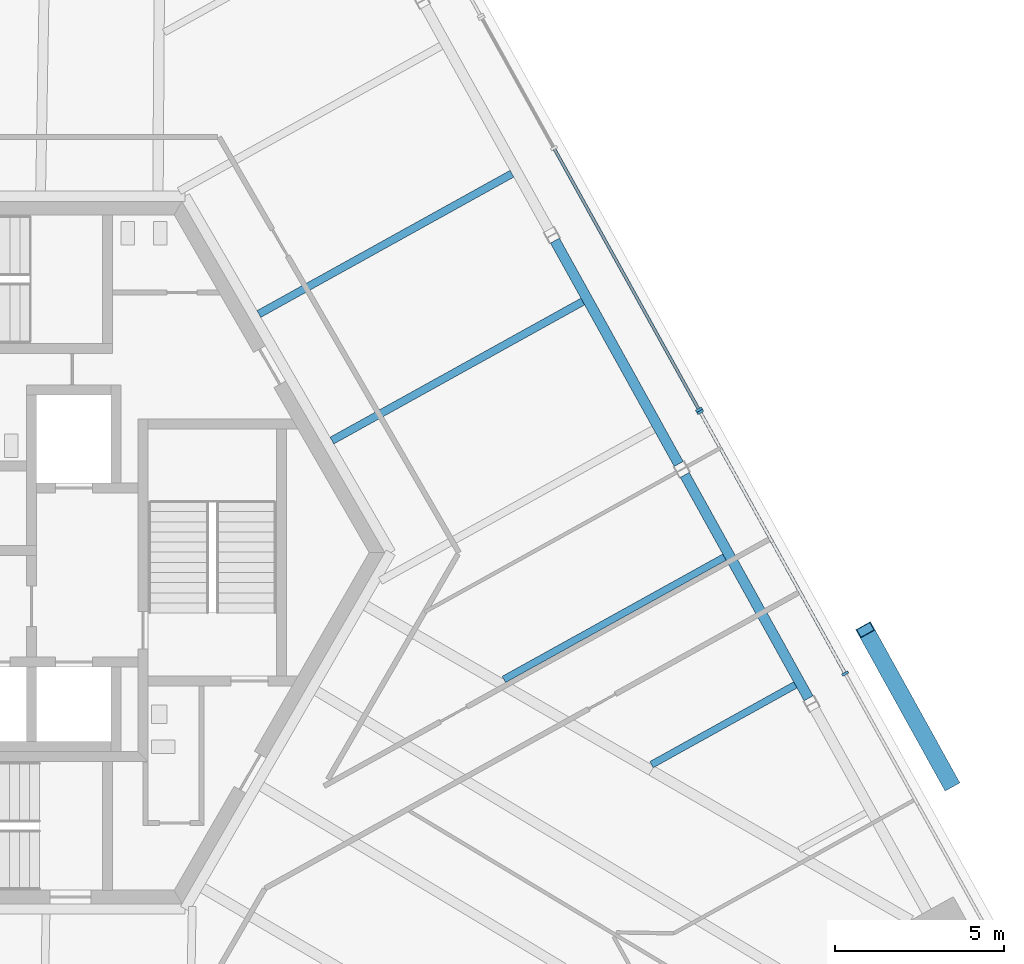
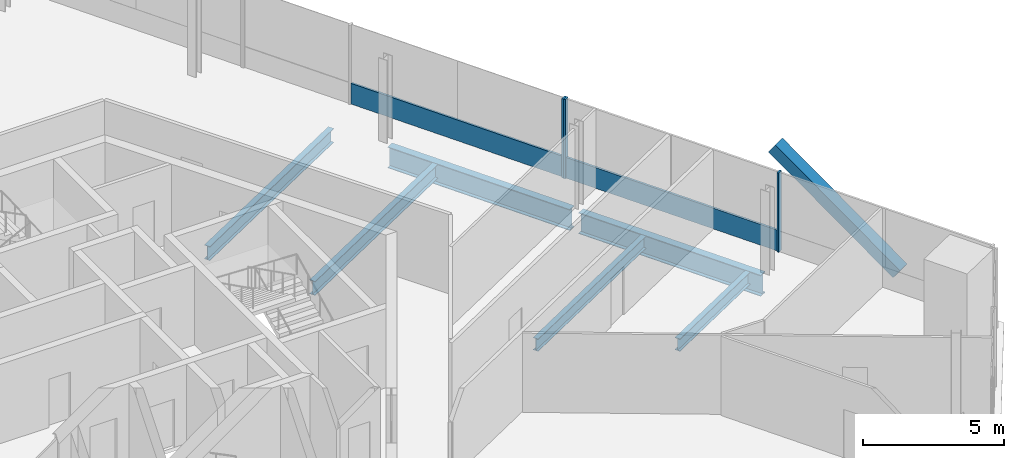
# One storey, part 7 of 19: 6 beams, 6 members, 2 elements without a shape of their own.
"""IFC4 building model written with IfcOpenShell, lengths in metres."""

from ifc_helpers import new_model, si_unit, direction, frame, origin, origin_2d, place, context, subcontext, project, spatial, rectangle, hollow_rectangle, i_section, extrude, source, transform, mapped, material, material_profile, profile_set, type_object, element, aggregate, save


model = new_model("IFC4")

# Units and contexts
model_context = context("Model", 3, precision=1e-05, world=origin(), true_north=direction((0.0, 1.0)))
body_context = subcontext(model_context, "Body", "Model", "MODEL_VIEW")
ifc_project = project(units=[si_unit("LENGTHUNIT", "METRE"), si_unit("AREAUNIT", "SQUARE_METRE"), si_unit("VOLUMEUNIT", "CUBIC_METRE"), si_unit("PLANEANGLEUNIT", "RADIAN"), si_unit("MASSUNIT", "GRAM", prefix="KILO")], contexts=[model_context])

# Site, building, storey
site_placement = place(None, origin())
site = spatial("IfcSite", under=ifc_project, at=site_placement, CompositionType="ELEMENT")
building_placement = place(site_placement, origin())
building = spatial("IfcBuilding", under=site, at=building_placement, Name="Triune Harvest Tower", CompositionType="ELEMENT")
storey_placement = place(building_placement, frame((0.0, 0.0, 183.5)))
storey = spatial("IfcBuildingStorey", under=building, at=storey_placement, Name="L47", CompositionType="ELEMENT", Elevation=183.5)

# Beams
ifc_material_1 = material(Name="Steel ASTM A992 Gr 50", Category="steel")
ifc_material_profile_1 = material_profile(ifc_material_1, i_section(OverallWidth=0.3046875, OverallDepth=0.914306640625, WebThickness=0.0166015625, FlangeThickness=0.02587890625, at=origin_2d()), Name="W36x160")
ifc_profile_set_1 = profile_set([ifc_material_profile_1], Name="Steel ASTM A992 Gr 50")
beam_type_1 = type_object("IfcBeamType", Name="SB-1 Spandrel beam W36x160", PredefinedType="SPANDREL", material=ifc_profile_set_1)
shared_shape_1 = source(origin(), body_context, "Body", "SweptSolid", [
    extrude(i_section(OverallWidth=0.3046875, OverallDepth=0.914306640625, WebThickness=0.0166015625, FlangeThickness=0.02587890625, at=origin_2d()), origin(), (0.0, 0.0, 1.0), 7.556396484375),
])
for number, where, z_axis, x_axis, name in (
    (1, (24.542236328125, -4.311279296875, -0.6171875), (-0.484806011206, 0.874621707654, 0.0), (-0.874621707654, -0.484806011206, 0.0), "beam/L47/SB2"),
    (2, (20.698974609375, 2.6220703125, -0.6171875), (-0.484806011206, 0.874621707654, 0.0), (-0.874621707654, -0.484806011206, 0.0), "beam/L47/SB3"),
):
    element("IfcBeam", number, at=place(storey_placement, frame(where, z_axis=z_axis, x_axis=x_axis)), inside=storey, type_object=beam_type_1, Name=name, PredefinedType="SPANDREL", context=body_context, shape_type="MappedRepresentation", body=[
        mapped(shared_shape_1, transform((0.0, 0.0, 0.0), scale=1.0)),
    ])
ifc_material_2 = material(Name="Steel ASTM A992 Gr 50", Category="steel")
ifc_material_profile_2 = material_profile(ifc_material_2, i_section(OverallWidth=0.2099609375, OverallDepth=0.535888671875, WebThickness=0.010986328125, FlangeThickness=0.017333984375, at=origin_2d()), Name="W21x68")
ifc_profile_set_2 = profile_set([ifc_material_profile_2], Name="Steel ASTM A992 Gr 50")
beam_type_2 = type_object("IfcBeamType", Name="JT-2 Floor joist W21x68", PredefinedType="JOIST", material=ifc_profile_set_2)
shared_shape_2 = source(origin(), body_context, "Body", "SweptSolid", [
    extrude(i_section(OverallWidth=0.2099609375, OverallDepth=0.535888671875, WebThickness=0.010986328125, FlangeThickness=0.017333984375, at=origin_2d()), origin(), (0.0, 0.0, 1.0), 4.8642578125),
])
beam_1_placement = place(storey_placement, frame((24.1494140625, -3.9169921875, -0.427978515625), z_axis=(-0.874606715021, -0.484833057908, 0.0), x_axis=(0.484833057908, -0.874606715021, 0.0)))
element("IfcBeam", 3, at=beam_1_placement, inside=storey, type_object=beam_type_2, Name="beam/L47/JT2", PredefinedType="JOIST", context=body_context, shape_type="MappedRepresentation", body=[
    mapped(shared_shape_2, transform((0.0, 0.0, 0.0), scale=1.0)),
])
shared_shape_3 = source(origin(), body_context, "Body", "SweptSolid", [
    extrude(i_section(OverallWidth=0.2099609375, OverallDepth=0.535888671875, WebThickness=0.010986328125, FlangeThickness=0.017333984375, at=origin_2d()), origin(), (0.0, 0.0, 1.0), 7.46240234375),
])
beam_2_placement = place(storey_placement, frame((22.052978515625, -0.13525390625, -0.427978515625), z_axis=(-0.87461829469, -0.484812168363, 0.0), x_axis=(0.484812168363, -0.87461829469, 0.0)))
element("IfcBeam", 4, at=beam_2_placement, inside=storey, type_object=beam_type_2, Name="beam/L47/JT3", PredefinedType="JOIST", context=body_context, shape_type="MappedRepresentation", body=[
    mapped(shared_shape_3, transform((0.0, 0.0, 0.0), scale=1.0)),
])
ifc_material_3 = material(Name="Steel ASTM A992 Gr 50", Category="steel")
ifc_material_profile_3 = material_profile(ifc_material_3, i_section(OverallWidth=0.22900390625, OverallDepth=0.612060546875, WebThickness=0.011962890625, FlangeThickness=0.01953125, at=origin_2d()), Name="W24x84")
ifc_profile_set_3 = profile_set([ifc_material_profile_3], Name="Steel ASTM A992 Gr 50")
beam_type_3 = type_object("IfcBeamType", Name="JT-3 Floor joist W24x84", PredefinedType="JOIST", material=ifc_profile_set_3)
shared_shape_4 = source(origin(), body_context, "Body", "SweptSolid", [
    extrude(i_section(OverallWidth=0.22900390625, OverallDepth=0.612060546875, WebThickness=0.011962890625, FlangeThickness=0.01953125, at=origin_2d()), origin(), (0.0, 0.0, 1.0), 8.486083984375),
])
beam_3_placement = place(storey_placement, frame((17.860595703125, 7.42822265625, -0.466064453125), z_axis=(-0.874626410095, -0.484797527598, 0.0), x_axis=(0.484797527598, -0.874626410095, 0.0)))
element("IfcBeam", 5, at=beam_3_placement, inside=storey, type_object=beam_type_3, Name="beam/L47/JT5", PredefinedType="JOIST", context=body_context, shape_type="MappedRepresentation", body=[
    mapped(shared_shape_4, transform((0.0, 0.0, 0.0), scale=1.0)),
])
shared_shape_5 = source(origin(), body_context, "Body", "SweptSolid", [
    extrude(i_section(OverallWidth=0.22900390625, OverallDepth=0.612060546875, WebThickness=0.011962890625, FlangeThickness=0.01953125, at=origin_2d()), origin(), (0.0, 0.0, 1.0), 8.561767578125),
])
beam_4_placement = place(storey_placement, frame((15.764404296875, 11.210205078125, -0.466064453125), z_axis=(-0.87461689263, -0.484814697721, 0.0), x_axis=(0.484814697721, -0.87461689263, 0.0)))
element("IfcBeam", 6, at=beam_4_placement, inside=storey, type_object=beam_type_3, Name="beam/L47/JT6", PredefinedType="JOIST", context=body_context, shape_type="MappedRepresentation", body=[
    mapped(shared_shape_5, transform((0.0, 0.0, 0.0), scale=1.0)),
])

# Member
ifc_material_4 = material(Name="Steel ASTM A572 Gr 50", Category="steel")
ifc_material_profile_4 = material_profile(ifc_material_4, hollow_rectangle(XDim=0.5, YDim=0.5, WallThickness=0.030029296875, at=origin_2d()), Name="Box 500x500x30")
ifc_profile_set_4 = profile_set([ifc_material_profile_4], Name="Steel ASTM A572 Gr 50")
member_type_1 = type_object("IfcMemberType", Name="BR-3 Brace Box 500x500x30", PredefinedType="BRACE", material=ifc_profile_set_4)
shared_shape_6 = source(origin(), body_context, "Body", "SweptSolid", [
    extrude(hollow_rectangle(XDim=0.5, YDim=0.5, WallThickness=0.030029296875, at=origin_2d()), origin(), (0.0, 0.0, 1.0), 6.302734375),
])
member_1_placement = place(storey_placement, frame((28.731689453125, -6.811767578125, 0.0), z_axis=(-0.397924844663, 0.71791483218, 0.571186582245), x_axis=(-0.874630991711, -0.484789261781, 0.0)))
element("IfcMember", 7, at=member_1_placement, inside=storey, type_object=member_type_1, Name="brace/B5-F1/d1/2", PredefinedType="BRACE", context=body_context, shape_type="MappedRepresentation", body=[
    mapped(shared_shape_6, transform((0.0, 0.0, 0.0), scale=1.0)),
])

# Curtain wall, members
ifc_material_5 = material(Name="Aluminium bronze anodised", Category="aluminium")
curtain_wall_type_1 = type_object("IfcCurtainWallType", Name="CW-7 Tower stick curtain wall with insulated spandrel infill", PredefinedType="NOTDEFINED", material=ifc_material_5)
curtain_wall_1_placement = place(storey_placement, origin())
curtain_wall_1 = element("IfcCurtainWall", 8, at=curtain_wall_1_placement, inside=storey, type_object=curtain_wall_type_1, Name="CW-7 B5-F1 L47 run 1")
ifc_material_6 = material(Name="Aluminium bronze anodised", Category="aluminium")
ifc_material_profile_5 = material_profile(ifc_material_6, rectangle(XDim=0.199951171875, YDim=0.074951171875, at=origin_2d()), Name="MU-1 mullion 75 x 200")
ifc_profile_set_5 = profile_set([ifc_material_profile_5], Name="Aluminium bronze anodised")
member_type_2 = type_object("IfcMemberType", Name="MU-1 mullion 75 x 200", PredefinedType="MULLION", material=ifc_profile_set_5)
shared_shape_7 = source(origin(), body_context, "Body", "SweptSolid", [
    extrude(rectangle(XDim=0.199951171875, YDim=0.074951171875, at=origin_2d()), origin(), (0.0, 0.0, 1.0), 3.43994140625),
])
member_2_placement = place(storey_placement, frame((25.625732421875, -3.580322265625, 0.0), z_axis=(0.0, 0.0, 1.0), x_axis=(-0.874620469995, -0.484808244015, 0.0)))
member_2 = element("IfcMember", 9, at=member_2_placement, type_object=member_type_2, Name="CW-7 mullion B5-F1 1.3", PredefinedType="MULLION", context=body_context, shape_type="MappedRepresentation", body=[
    mapped(shared_shape_7, transform((0.0, 0.0, 0.0), scale=1.0)),
])
member_3_placement = place(storey_placement, frame((21.334716796875, 4.160888671875, 0.0), z_axis=(0.0, 0.0, 1.0), x_axis=(-0.874620469995, -0.484808244015, 0.0)))
member_3 = element("IfcMember", 10, at=member_3_placement, type_object=member_type_2, Name="CW-7 mullion B5-F1 1.5", PredefinedType="MULLION", context=body_context, shape_type="MappedRepresentation", body=[
    mapped(shared_shape_7, transform((0.0, 0.0, 0.0), scale=1.0)),
])

# Curtain wall, member
ifc_material_7 = material(Name="Aluminium bronze anodised", Category="aluminium")
curtain_wall_type_2 = type_object("IfcCurtainWallType", Name="CW-1 Tower stick curtain wall", PredefinedType="NOTDEFINED", material=ifc_material_7)
curtain_wall_2_placement = place(storey_placement, origin())
curtain_wall_2 = element("IfcCurtainWall", 11, at=curtain_wall_2_placement, inside=storey, type_object=curtain_wall_type_2, Name="CW-1 B5-F1 L47 run 1001")
member_4_placement = place(storey_placement, frame((21.29833984375, 4.2265625, 0.0), z_axis=(0.0, 0.0, 1.0), x_axis=(-0.87461998417, -0.48480912047, 0.0)))
member_4 = element("IfcMember", 12, at=member_4_placement, type_object=member_type_2, Name="CW-1 mullion B5-F1 1001.1", PredefinedType="MULLION", context=body_context, shape_type="MappedRepresentation", body=[
    mapped(shared_shape_7, transform((0.0, 0.0, 0.0), scale=1.0)),
])

# Member
ifc_material_8 = material(Name="Aluminium bronze anodised", Category="aluminium")
ifc_material_profile_6 = material_profile(ifc_material_8, rectangle(XDim=0.090087890625, YDim=0.89990234375, at=origin_2d()), Name="TR-1 transom 90 x 900")
ifc_profile_set_6 = profile_set([ifc_material_profile_6], Name="Aluminium bronze anodised")
member_type_3 = type_object("IfcMemberType", Name="TR-1 transom 90 x 900", PredefinedType="USERDEFINED", material=ifc_profile_set_6)
shared_shape_8 = source(origin(), body_context, "Body", "SweptSolid", [
    extrude(rectangle(XDim=0.090087890625, YDim=0.89990234375, at=origin_2d()), origin(), (0.0, 0.0, 1.0), 8.776123046875),
])
member_5_placement = place(storey_placement, frame((25.607666015625, -3.547607421875, 0.449951171875), z_axis=(-0.484820758648, 0.87461353293, 0.0), x_axis=(-0.87461353293, -0.484820758648, 0.0)))
member_5 = element("IfcMember", 13, at=member_5_placement, type_object=member_type_3, Name="CW-7 transom B5-F1 1.2", ObjectType="TRANSOM", PredefinedType="USERDEFINED", context=body_context, shape_type="MappedRepresentation", body=[
    mapped(shared_shape_8, transform((0.0, 0.0, 0.0), scale=1.0)),
])

aggregate(curtain_wall_1, [member_2, member_3, member_5])

member_6_placement = place(storey_placement, frame((21.280029296875, 4.25927734375, 0.449951171875), z_axis=(-0.484799478491, 0.874625328729, 0.0), x_axis=(-0.874625328729, -0.484799478491, 0.0)))
member_6 = element("IfcMember", 14, at=member_6_placement, type_object=member_type_3, Name="CW-1 transom B5-F1 1001.1", ObjectType="TRANSOM", PredefinedType="USERDEFINED", context=body_context, shape_type="MappedRepresentation", body=[
    mapped(shared_shape_8, transform((0.0, 0.0, 0.0), scale=1.0)),
])

aggregate(curtain_wall_2, [member_4, member_6])

save(model, "model.ifc")
